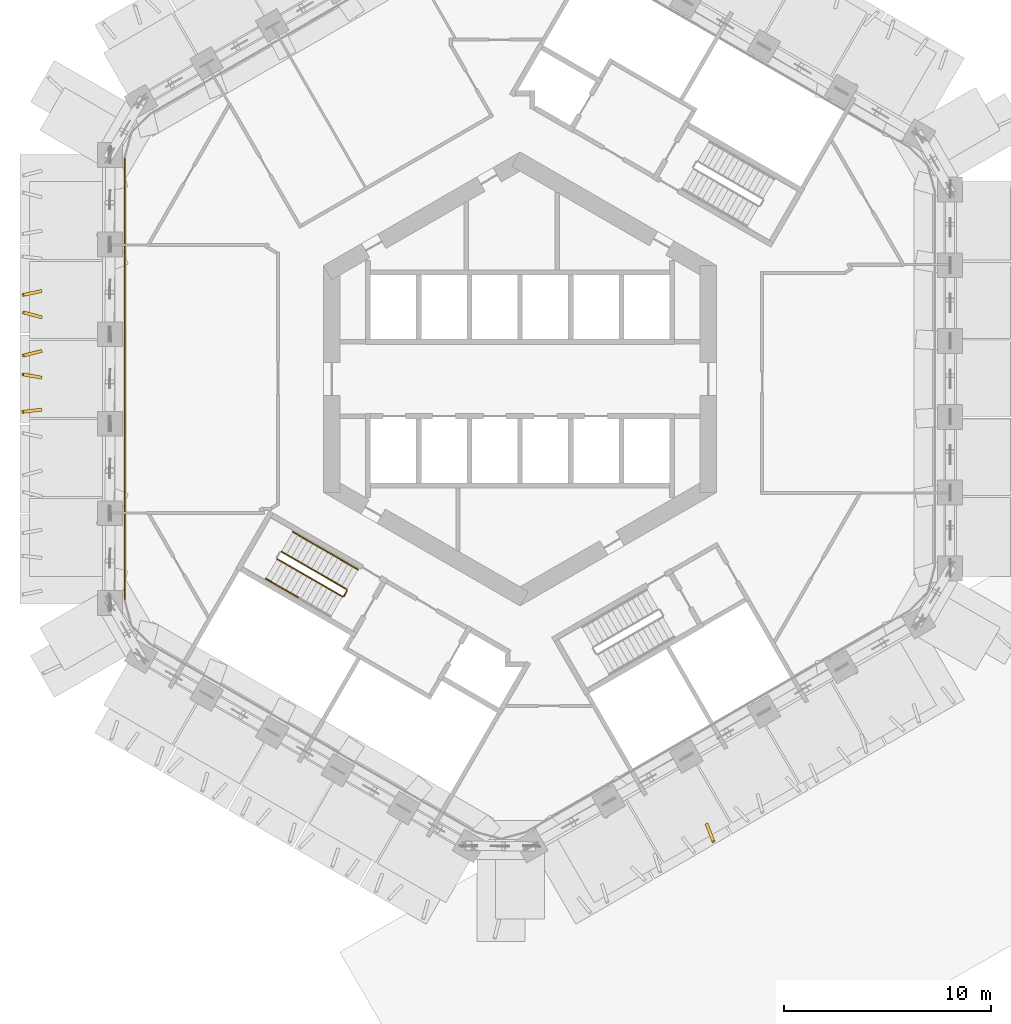
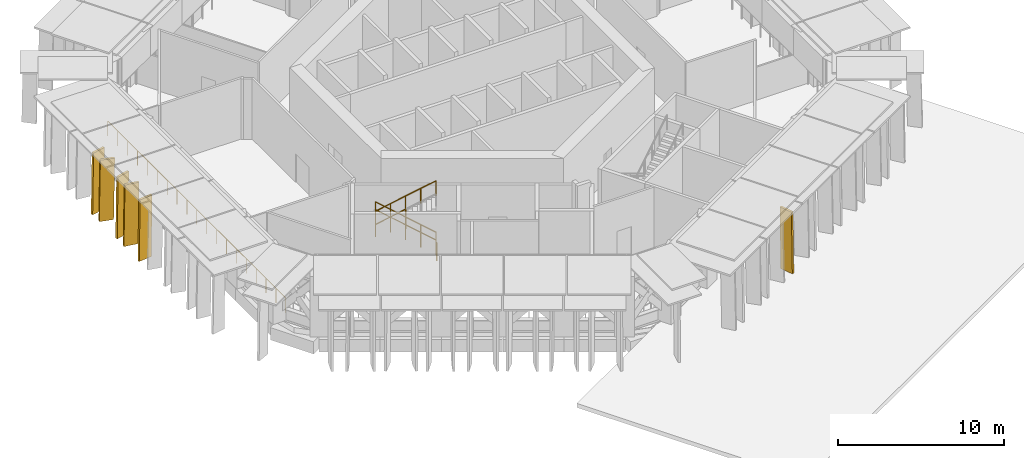
# One storey, part 13 of 16: 7 railings, 6 shading devices.
"""IFC4 building model written with IfcOpenShell, lengths in metres."""

from ifc_helpers import new_model, si_unit, direction, frame, origin, origin_2d, place, context, subcontext, project, spatial, polyline, circle, outline, extrude, material, layer, layer_set, type_object, element, save


model = new_model("IFC4")

# Units and contexts
model_context = context("Model", 3, precision=1e-05, world=origin(), true_north=direction((0.0, 1.0)))
body_context = subcontext(model_context, "Body", "Model", "MODEL_VIEW")
ifc_project = project(units=[si_unit("LENGTHUNIT", "METRE"), si_unit("AREAUNIT", "SQUARE_METRE"), si_unit("VOLUMEUNIT", "CUBIC_METRE"), si_unit("PLANEANGLEUNIT", "RADIAN"), si_unit("MASSUNIT", "GRAM", prefix="KILO")], contexts=[model_context])

# Site, building, storey
site_placement = place(None, origin())
site = spatial("IfcSite", under=ifc_project, at=site_placement, CompositionType="ELEMENT")
building_placement = place(site_placement, origin())
building = spatial("IfcBuilding", under=site, at=building_placement, Name="Ayvan Gate Tower", CompositionType="ELEMENT")
storey_placement = place(building_placement, frame((0.0, 0.0, 78.300048828125)))
storey = spatial("IfcBuildingStorey", under=building, at=storey_placement, Name="L20", CompositionType="ELEMENT", Elevation=78.300048828125)

# Shading devices
ifc_material_1 = material(Name="Bronze anodised aluminium", Category="aluminium")
ifc_layer = layer(ifc_material_1, 0.14990234375)
ifc_layer_set = layer_set([ifc_layer], Name="Bronze anodised aluminium")
shading_device_type = type_object("IfcShadingDeviceType", Name="Bronze fin 900 x 150", PredefinedType="USERDEFINED", material=ifc_layer_set)
shading_device_1_placement = place(storey_placement, frame((-23.198486328125, 4.312744140625, 0.0), z_axis=(-0.208046897711, 0.978118791584, 0.000343371305), x_axis=(-0.978118849246, -0.208046909975, 0.0)))
element("IfcShadingDevice", 1, at=shading_device_1_placement, inside=storey, type_object=shading_device_type, Name="Bronze fin FG06.3.21", ObjectType="FIN", PredefinedType="USERDEFINED", context=body_context, shape_type="SweptSolid", body=[
    extrude(outline(polyline([(0.0, 0.0), (0.9000655640456651, 1.3552527156068805e-20), (0.8282591852662101, 4.500000265283694), (-0.07180637877945495, 4.500000265283694), (0.0, 0.0)])), origin(), (0.0, 0.0, -1.0), 0.14990234375),
])
shading_device_2_placement = place(storey_placement, frame((-23.158935546875, 3.068115234375, 0.0), z_axis=(0.256235537587, 0.966614314899, 0.000339865968), x_axis=(-0.966614370722, 0.2562355524, -4.4561e-08)))
element("IfcShadingDevice", 2, at=shading_device_2_placement, inside=storey, type_object=shading_device_type, Name="Bronze fin FG06.3.22", ObjectType="FIN", PredefinedType="USERDEFINED", context=body_context, shape_type="SweptSolid", body=[
    extrude(outline(polyline([(0.0, 0.0), (0.8999486327881943, 1.3552527156068805e-20), (0.8280335928574621, 4.500000296792862), (-0.07185248242282183, 4.500000216590736), (0.0, 0.0)])), origin(), (0.0, 0.0, -1.0), 0.14990234375),
])
shading_device_3_placement = place(storey_placement, frame((-23.19775390625, 1.4111328125, 0.0), z_axis=(-0.242790922653, 0.970078591518, 0.000306847209), x_axis=(-0.970078637187, -0.242790934083, 0.0)))
element("IfcShadingDevice", 3, at=shading_device_3_placement, inside=storey, type_object=shading_device_type, Name="Bronze fin FG06.3.23", ObjectType="FIN", PredefinedType="USERDEFINED", context=body_context, shape_type="SweptSolid", body=[
    extrude(outline(polyline([(0.0, 0.0), (0.8999753644008668, -1.3552527156068805e-20), (0.8280913872225903, 4.500000211849237), (-0.07188397717827655, 4.500000211849237), (0.0, 0.0)])), origin(), (0.0, 0.0, -1.0), 0.14990234375),
])
shading_device_4_placement = place(storey_placement, frame((-23.1728515625, 0.147705078125, 0.0), z_axis=(0.172794850756, 0.984957775658, 0.000346011078), x_axis=(-0.984957834619, 0.1727948611, 0.0)))
element("IfcShadingDevice", 4, at=shading_device_4_placement, inside=storey, type_object=shading_device_type, Name="Bronze fin FG06.3.24", ObjectType="FIN", PredefinedType="USERDEFINED", context=body_context, shape_type="SweptSolid", body=[
    extrude(outline(polyline([(0.0, 0.0), (0.9000127500054788, -6.776263578034403e-21), (0.8283532862718408, 4.5000002693782735), (-0.07165946373363793, 4.5000002693782735), (0.0, 0.0)])), origin(), (0.0, 0.0, -1.0), 0.14990234375),
])
shading_device_5_placement = place(storey_placement, frame((-23.197998046875, -1.4169921875, 0.0), z_axis=(-0.11203921421, 0.993703732812, 0.000325384602), x_axis=(-0.993703785416, -0.112039220141, 0.0)))
element("IfcShadingDevice", 5, at=shading_device_5_placement, inside=storey, type_object=shading_device_type, Name="Bronze fin FG06.3.25", ObjectType="FIN", PredefinedType="USERDEFINED", context=body_context, shape_type="SweptSolid", body=[
    extrude(outline(polyline([(0.0, 0.0), (0.8999534091546, -6.776263578034403e-21), (0.8281320546451493, 4.500000238219082), (-0.0718213545094508, 4.500000238219082), (0.0, 0.0)])), origin(), (0.0, 0.0, -1.0), 0.14990234375),
])
shading_device_6_placement = place(storey_placement, frame((8.966796875, -21.583740234375, 0.0), z_axis=(-0.932988592404, -0.359905773872, 0.000346953132), x_axis=(0.359905795534, -0.932988648559, 0.0)))
element("IfcShadingDevice", 6, at=shading_device_6_placement, inside=storey, type_object=shading_device_type, Name="Bronze fin FG06.7.54", ObjectType="FIN", PredefinedType="USERDEFINED", context=body_context, shape_type="SweptSolid", body=[
    extrude(outline(polyline([(0.0, 0.0), (0.9001650248336392, 0.0), (0.8282830826450646, 4.500000270847094), (-0.07188194218857469, 4.500000270847094), (0.0, 0.0)])), origin(), (0.0, 0.0, -1.0), 0.14990234375),
])

# Railings
ifc_material_2 = material(Name="Stainless steel balustrade", Category="steel")
railing_type_1 = type_object("IfcRailingType", Name="RL-GUARD-1100", PredefinedType="GUARDRAIL", material=ifc_material_2)
railing_1_placement = place(storey_placement, frame((-8.381103515625, -10.16650390625, 0.17138671875)))
element("IfcRailing", 7, at=railing_1_placement, inside=storey, type_object=railing_type_1, Name="L20 STS2 stair guard 1", PredefinedType="GUARDRAIL", context=body_context, shape_type="SweptSolid", body=[
    extrude(circle(Radius=0.02392578125, at=origin_2d()), frame((0.0, 0.0, 1.076171875), z_axis=(-0.738592093898, 0.426440834883, 0.522139764025), x_axis=(-0.500012742938, -0.866018046521, 0.0)), (0.0, 0.0, 1.0), 4.26806640625),
    extrude(circle(Radius=0.02099609375, at=origin_2d()), origin(), (0.0, 0.0, 1.0), 1.052001953125),
    extrude(circle(Radius=0.02099609375, at=origin_2d()), frame((-0.7880859375, 0.455078125, 0.55712890625)), (0.0, 0.0, 1.0), 1.052001953125),
    extrude(circle(Radius=0.02099609375, at=origin_2d()), frame((-1.576171875, 0.91015625, 1.1142578125)), (0.0, 0.0, 1.0), 1.052001953125),
    extrude(circle(Radius=0.02099609375, at=origin_2d()), frame((-2.3642578125, 1.364990234375, 1.67138671875)), (0.0, 0.0, 1.0), 1.052001953125),
    extrude(circle(Radius=0.02099609375, at=origin_2d()), frame((-3.15234375, 1.820068359375, 2.228515625)), (0.0, 0.0, 1.0), 1.052001953125),
])
railing_2_placement = place(storey_placement, frame((-11.738525390625, -8.70166015625, 2.5712890625)))
element("IfcRailing", 8, at=railing_2_placement, inside=storey, type_object=railing_type_1, Name="L20 STS2 stair guard 3", PredefinedType="GUARDRAIL", context=body_context, shape_type="SweptSolid", body=[
    extrude(circle(Radius=0.02392578125, at=origin_2d()), frame((0.0, 0.0, 1.076171875), z_axis=(0.738588048336, -0.426381297421, 0.522194105736), x_axis=(0.499962438169, 0.866047089031, 0.0)), (0.0, 0.0, 1.0), 4.26806640625),
    extrude(circle(Radius=0.02099609375, at=origin_2d()), origin(), (0.0, 0.0, 1.0), 1.052001953125),
    extrude(circle(Radius=0.02099609375, at=origin_2d()), frame((0.7880859375, -0.455078125, 0.55712890625)), (0.0, 0.0, 1.0), 1.052001953125),
    extrude(circle(Radius=0.02099609375, at=origin_2d()), frame((1.576171875, -0.909912109375, 1.1142578125)), (0.0, 0.0, 1.0), 1.052001953125),
    extrude(circle(Radius=0.02099609375, at=origin_2d()), frame((2.3642578125, -1.36474609375, 1.671630859375)), (0.0, 0.0, 1.0), 1.052001953125),
    extrude(circle(Radius=0.02099609375, at=origin_2d()), frame((3.15234375, -1.81982421875, 2.228759765625)), (0.0, 0.0, 1.0), 1.052001953125),
])
railing_3_placement = place(storey_placement, frame((-8.36279296875, -10.23486328125, 0.0)))
element("IfcRailing", 9, at=railing_3_placement, inside=storey, type_object=railing_type_1, Name="L20 STS2 stair guard 4", PredefinedType="GUARDRAIL", context=body_context, shape_type="SweptSolid", body=[
    extrude(circle(Radius=0.02392578125, at=origin_2d()), frame((0.0, 0.0, 1.076171875), z_axis=(-0.500290723946, -0.86585748916, 0.0), x_axis=(0.86585748916, -0.500290723946, 0.0)), (0.0, 0.0, 1.0), 0.309814453125),
    extrude(circle(Radius=0.02099609375, at=origin_2d()), origin(), (0.0, 0.0, 1.0), 1.052001953125),
    extrude(circle(Radius=0.02099609375, at=origin_2d()), frame((-0.155029296875, -0.268310546875, 0.0)), (0.0, 0.0, 1.0), 1.052001953125),
])
railing_type_2 = type_object("IfcRailingType", Name="RL-HANDRAIL-900", PredefinedType="HANDRAIL", material=ifc_material_2)
railing_4_placement = place(storey_placement, frame((-7.8310546875, -9.2138671875, 0.17138671875)))
element("IfcRailing", 10, at=railing_4_placement, inside=storey, type_object=railing_type_2, Name="L20 STS2 stair handrail 1", PredefinedType="HANDRAIL", context=body_context, shape_type="SweptSolid", body=[
    extrude(circle(Radius=0.02392578125, at=origin_2d()), frame((0.0, 0.0, 0.8759765625), z_axis=(-0.738610110021, 0.426394033464, 0.52215250033), x_axis=(-0.499962438169, -0.866047089031, 0.0)), (0.0, 0.0, 1.0), 2.134033203125),
    extrude(circle(Radius=0.02099609375, at=origin_2d()), origin(), (0.0, 0.0, 1.0), 0.851806640625),
    extrude(circle(Radius=0.02099609375, at=origin_2d()), frame((-0.7880859375, 0.455078125, 0.55712890625)), (0.0, 0.0, 1.0), 0.851806640625),
    extrude(circle(Radius=0.02099609375, at=origin_2d()), frame((-1.576171875, 0.909912109375, 1.1142578125)), (0.0, 0.0, 1.0), 0.851806640625),
])
railing_5_placement = place(storey_placement, frame((-9.4072265625, -8.303955078125, 1.28564453125)))
element("IfcRailing", 11, at=railing_5_placement, inside=storey, type_object=railing_type_2, Name="L20 STS2 stair handrail 2", PredefinedType="HANDRAIL", context=body_context, shape_type="SweptSolid", body=[
    extrude(circle(Radius=0.02392578125, at=origin_2d()), frame((0.0, 0.0, 0.8759765625), z_axis=(-0.738574076676, 0.426487632876, 0.522127026944), x_axis=(-0.500063042646, -0.865989003036, 0.0)), (0.0, 0.0, 1.0), 2.134033203125),
    extrude(circle(Radius=0.02099609375, at=origin_2d()), origin(), (0.0, 0.0, 1.0), 0.851806640625),
    extrude(circle(Radius=0.02099609375, at=origin_2d()), frame((-0.7880859375, 0.455078125, 0.55712890625)), (0.0, 0.0, 1.0), 0.851806640625),
    extrude(circle(Radius=0.02099609375, at=origin_2d()), frame((-1.576171875, 0.91015625, 1.1142578125)), (0.0, 0.0, 1.0), 0.851806640625),
])
railing_6_placement = place(storey_placement, frame((-12.288330078125, -9.654296875, 2.5712890625)))
element("IfcRailing", 12, at=railing_6_placement, inside=storey, type_object=railing_type_2, Name="L20 STS2 stair handrail 3", PredefinedType="HANDRAIL", context=body_context, shape_type="SweptSolid", body=[
    extrude(circle(Radius=0.02392578125, at=origin_2d()), frame((0.0, 0.0, 0.8759765625), z_axis=(0.738610110021, -0.426394033464, 0.52215250033), x_axis=(0.499962438169, 0.866047089031, 0.0)), (0.0, 0.0, 1.0), 2.134033203125),
    extrude(circle(Radius=0.02099609375, at=origin_2d()), origin(), (0.0, 0.0, 1.0), 0.851806640625),
    extrude(circle(Radius=0.02099609375, at=origin_2d()), frame((0.7880859375, -0.455078125, 0.55712890625)), (0.0, 0.0, 1.0), 0.851806640625),
    extrude(circle(Radius=0.02099609375, at=origin_2d()), frame((1.576171875, -0.909912109375, 1.1142578125)), (0.0, 0.0, 1.0), 0.851806640625),
])
ifc_material_3 = material(Name="Stainless steel 316 and laminated glass", Category="steel")
railing_type_3 = type_object("IfcRailingType", Name="Refuge band guard 1100", PredefinedType="GUARDRAIL", material=ifc_material_3)
railing_7_placement = place(storey_placement, frame((-19.113037109375, 10.701416015625, 0.0)))
element("IfcRailing", 13, at=railing_7_placement, inside=storey, type_object=railing_type_3, Name="Refuge band guard L20.3", PredefinedType="GUARDRAIL", context=body_context, shape_type="SweptSolid", body=[
    extrude(circle(Radius=0.02490234375, at=origin_2d()), frame((0.0, 0.0, 1.0751953125), z_axis=(0.0, -1.0, 0.0), x_axis=(1.0, 0.0, 0.0)), (0.0, 0.0, 1.0), 21.40283203125),
    extrude(circle(Radius=0.02001953125, at=origin_2d()), origin(), (0.0, 0.0, 1.0), 1.050048828125),
    extrude(circle(Radius=0.02001953125, at=origin_2d()), frame((0.0, -1.18896484375, 0.0)), (0.0, 0.0, 1.0), 1.050048828125),
    extrude(circle(Radius=0.02001953125, at=origin_2d()), frame((0.0, -2.378173828125, 0.0)), (0.0, 0.0, 1.0), 1.050048828125),
    extrude(circle(Radius=0.02001953125, at=origin_2d()), frame((0.0, -3.567138671875, 0.0)), (0.0, 0.0, 1.0), 1.050048828125),
    extrude(circle(Radius=0.02001953125, at=origin_2d()), frame((0.0, -4.756103515625, 0.0)), (0.0, 0.0, 1.0), 1.050048828125),
    extrude(circle(Radius=0.02001953125, at=origin_2d()), frame((0.0, -5.9453125, 0.0)), (0.0, 0.0, 1.0), 1.050048828125),
    extrude(circle(Radius=0.02001953125, at=origin_2d()), frame((0.0, -7.13427734375, 0.0)), (0.0, 0.0, 1.0), 1.050048828125),
    extrude(circle(Radius=0.02001953125, at=origin_2d()), frame((0.0, -8.3232421875, 0.0)), (0.0, 0.0, 1.0), 1.050048828125),
    extrude(circle(Radius=0.02001953125, at=origin_2d()), frame((0.0, -9.512451171875, 0.0)), (0.0, 0.0, 1.0), 1.050048828125),
    extrude(circle(Radius=0.02001953125, at=origin_2d()), frame((0.0, -10.701416015625, 0.0)), (0.0, 0.0, 1.0), 1.050048828125),
    extrude(circle(Radius=0.02001953125, at=origin_2d()), frame((0.0, -11.890380859375, 0.0)), (0.0, 0.0, 1.0), 1.050048828125),
    extrude(circle(Radius=0.02001953125, at=origin_2d()), frame((0.0, -13.07958984375, 0.0)), (0.0, 0.0, 1.0), 1.050048828125),
    extrude(circle(Radius=0.02001953125, at=origin_2d()), frame((0.0, -14.2685546875, 0.0)), (0.0, 0.0, 1.0), 1.050048828125),
    extrude(circle(Radius=0.02001953125, at=origin_2d()), frame((0.0, -15.45751953125, 0.0)), (0.0, 0.0, 1.0), 1.050048828125),
    extrude(circle(Radius=0.02001953125, at=origin_2d()), frame((0.0, -16.646728515625, 0.0)), (0.0, 0.0, 1.0), 1.050048828125),
    extrude(circle(Radius=0.02001953125, at=origin_2d()), frame((0.0, -17.835693359375, 0.0)), (0.0, 0.0, 1.0), 1.050048828125),
    extrude(circle(Radius=0.02001953125, at=origin_2d()), frame((0.0, -19.024658203125, 0.0)), (0.0, 0.0, 1.0), 1.050048828125),
    extrude(circle(Radius=0.02001953125, at=origin_2d()), frame((0.0, -20.2138671875, 0.0)), (0.0, 0.0, 1.0), 1.050048828125),
    extrude(circle(Radius=0.02001953125, at=origin_2d()), frame((0.0, -21.40283203125, 0.0)), (0.0, 0.0, 1.0), 1.050048828125),
])

save(model, "model.ifc")
